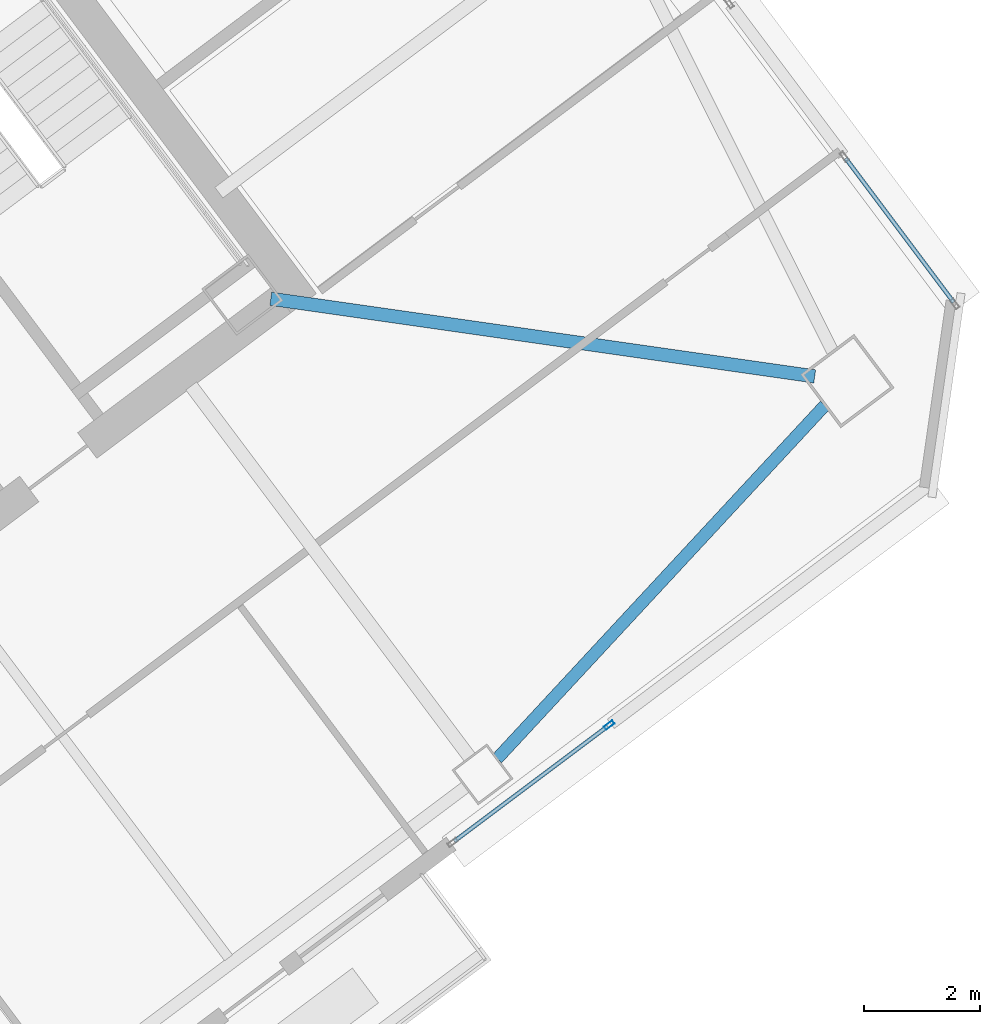
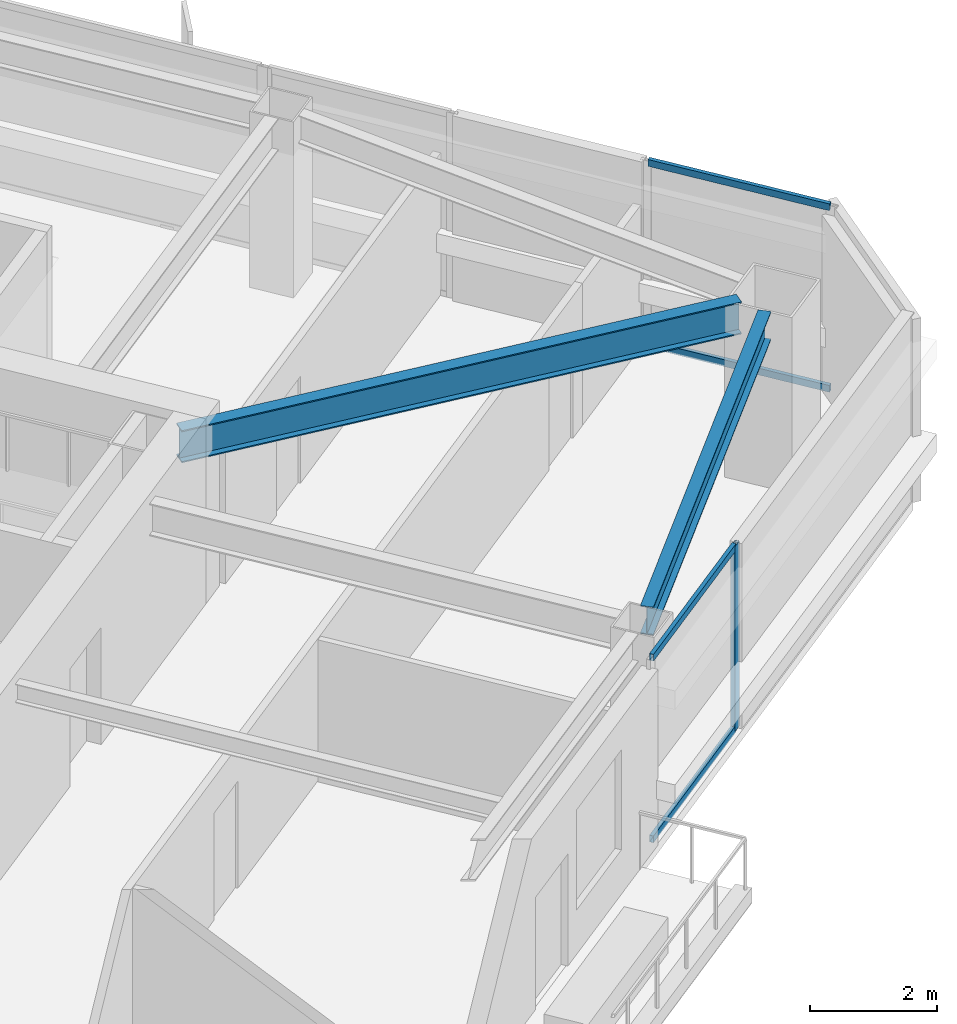
# One storey, part 26 of 46: 5 members, 2 beams, 2 elements without a shape of their own.
"""IFC4 building model written with IfcOpenShell, lengths in metres."""

from ifc_helpers import new_model, si_unit, direction, frame, origin, origin_2d, place, context, subcontext, project, spatial, hollow_rectangle, i_section, extrude, material, material_profile, profile_set, type_object, element, aggregate, save


model = new_model("IFC4")

# Units and contexts
model_context = context("Model", 3, precision=1e-05, world=origin(), true_north=direction((0.0, 1.0)))
body_context = subcontext(model_context, "Body", "Model", "MODEL_VIEW")
ifc_project = project(units=[si_unit("LENGTHUNIT", "METRE"), si_unit("AREAUNIT", "SQUARE_METRE"), si_unit("VOLUMEUNIT", "CUBIC_METRE"), si_unit("PLANEANGLEUNIT", "RADIAN"), si_unit("MASSUNIT", "GRAM", prefix="KILO")], contexts=[model_context])

# Site, building, storey
site_placement = place(None, origin())
site = spatial("IfcSite", under=ifc_project, at=site_placement, CompositionType="ELEMENT")
building_placement = place(site_placement, origin())
building = spatial("IfcBuilding", under=site, at=building_placement, Name="Tashvorn Skyway Center", CompositionType="ELEMENT")
storey_placement = place(building_placement, frame((0.0, 0.0, 167.64990234375)))
storey = spatial("IfcBuildingStorey", under=building, at=storey_placement, Name="L45", CompositionType="ELEMENT", Elevation=167.64990234375)

# Beams
ifc_material_1 = material(Name="Steel ASTM A992 Grade 50", Category="steel")
ifc_material_profile_1 = material_profile(ifc_material_1, i_section(OverallWidth=0.22998046875, OverallDepth=0.616943359375, WebThickness=0.01318359375, FlangeThickness=0.022216796875, at=origin_2d()), Name="W24X94")
ifc_profile_set_1 = profile_set([ifc_material_profile_1], Name="Steel ASTM A992 Grade 50")
beam_type_1 = type_object("IfcBeamType", Name="BM-BEAM-W24X94", PredefinedType="BEAM", material=ifc_profile_set_1)
beam_1_placement = place(storey_placement, frame((133.73583984375, 29.1806640625, 3.0615234375), z_axis=(-0.989950009213, 0.141417747326, 0.0), x_axis=(-0.141417747326, -0.989950009213, 0.0)))
element("IfcBeam", 1, at=beam_1_placement, inside=storey, type_object=beam_type_1, Name="Tower 2 L45 Primary Floor Girder MC-SE", PredefinedType="BEAM", context=body_context, shape_type="SweptSolid", body=[
    extrude(i_section(OverallWidth=0.22998046875, OverallDepth=0.616943359375, WebThickness=0.01318359375, FlangeThickness=0.022216796875, at=origin_2d()), origin(), (0.0, 0.0, 1.0), 9.470947265625),
])
ifc_material_profile_2 = material_profile(ifc_material_1, i_section(OverallWidth=0.2109375, OverallDepth=0.5390625, WebThickness=0.01171875, FlangeThickness=0.018798828125, at=origin_2d()), Name="W21X73")
ifc_profile_set_2 = profile_set([ifc_material_profile_2], Name="Steel ASTM A992 Grade 50")
beam_type_2 = type_object("IfcBeamType", Name="BM-SPANDREL-W21X73", PredefinedType="SPANDREL", material=ifc_profile_set_2)
beam_2_placement = place(storey_placement, frame((128.26171875, 22.59130859375, 3.1005859375), z_axis=(0.680119661736, 0.733101115618, 0.0), x_axis=(-0.733101115618, 0.680119661736, 0.0)))
element("IfcBeam", 2, at=beam_2_placement, inside=storey, type_object=beam_type_2, Name="Tower 2 L45 Spandrel Beam 03", PredefinedType="SPANDREL", context=body_context, shape_type="SweptSolid", body=[
    extrude(i_section(OverallWidth=0.2109375, OverallDepth=0.5390625, WebThickness=0.01171875, FlangeThickness=0.018798828125, at=origin_2d()), origin(), (0.0, 0.0, 1.0), 8.308349609375),
])

# Curtain wall, members
ifc_material_2 = material(Name="Thermally broken bronze-anodized aluminium 6063-T6", Category="aluminium")
curtain_wall_type = type_object("IfcCurtainWallType", Name="CW-CW-Z4", PredefinedType="NOTDEFINED", material=ifc_material_2)
curtain_wall_1_placement = place(storey_placement, origin())
curtain_wall_1 = element("IfcCurtainWall", 3, at=curtain_wall_1_placement, inside=storey, type_object=curtain_wall_type, Name="Tower 2 L45 South Curtain Wall L Glazing Group 1", PredefinedType="NOTDEFINED")
ifc_material_profile_3 = material_profile(ifc_material_2, hollow_rectangle(XDim=0.070068359375, YDim=0.179931640625, WallThickness=0.00390625, at=origin_2d()), Name="ALU-MULL-70x180")
ifc_profile_set_3 = profile_set([ifc_material_profile_3], Name="Thermally broken bronze-anodized aluminium 6063-T6")
member_type_1 = type_object("IfcMemberType", Name="CWM-CW-Z4", PredefinedType="MULLION", material=ifc_profile_set_3)
member_1_placement = place(storey_placement, frame((130.194580078125, 23.1708984375, 0.0), z_axis=(0.0, 0.0, 1.0), x_axis=(0.599995353367, -0.800003484954, 0.0)))
member_1 = element("IfcMember", 4, at=member_1_placement, type_object=member_type_1, Name="CW-Z4 mullion 1", PredefinedType="MULLION", context=body_context, shape_type="SweptSolid", body=[
    extrude(hollow_rectangle(XDim=0.070068359375, YDim=0.179931640625, WallThickness=0.00390625, at=origin_2d()), origin(), (0.0, 0.0, 1.0), 3.550048828125),
])
ifc_material_profile_4 = material_profile(ifc_material_2, hollow_rectangle(XDim=0.070068359375, YDim=0.1298828125, WallThickness=0.00390625, at=origin_2d()), Name="ALU-TRAN-70x130")
ifc_profile_set_4 = profile_set([ifc_material_profile_4], Name="Thermally broken bronze-anodized aluminium 6063-T6")
member_type_2 = type_object("IfcMemberType", Name="CWT-CW-Z4", PredefinedType="USERDEFINED", material=ifc_profile_set_4)
member_2_placement = place(storey_placement, frame((130.166748046875, 23.14990234375, 0.03515625), z_axis=(-0.800026605179, -0.599964524789, 0.0), x_axis=(0.599964524789, -0.800026605179, 0.0)))
member_2 = element("IfcMember", 5, at=member_2_placement, type_object=member_type_2, Name="CW-Z4 transom 1.1", ObjectType="TRANSOM", PredefinedType="USERDEFINED", context=body_context, shape_type="SweptSolid", body=[
    extrude(hollow_rectangle(XDim=0.070068359375, YDim=0.1298828125, WallThickness=0.00390625, at=origin_2d()), origin(), (0.0, 0.0, 1.0), 3.303466796875),
])
member_3_placement = place(storey_placement, frame((130.166748046875, 23.14990234375, 3.51513671875), z_axis=(-0.800026605179, -0.599964524789, 0.0), x_axis=(0.599964524789, -0.800026605179, 0.0)))
member_3 = element("IfcMember", 6, at=member_3_placement, type_object=member_type_2, Name="CW-Z4 transom 1.2", ObjectType="TRANSOM", PredefinedType="USERDEFINED", context=body_context, shape_type="SweptSolid", body=[
    extrude(hollow_rectangle(XDim=0.070068359375, YDim=0.1298828125, WallThickness=0.00390625, at=origin_2d()), origin(), (0.0, 0.0, 1.0), 3.303466796875),
])
aggregate(curtain_wall_1, [member_1, member_2, member_3])

curtain_wall_2_placement = place(storey_placement, origin())
curtain_wall_2 = element("IfcCurtainWall", 7, at=curtain_wall_2_placement, inside=storey, type_object=curtain_wall_type, Name="Tower 2 L45 East Unitised Curtain Wall Glazing Group 5", PredefinedType="NOTDEFINED")
member_4_placement = place(storey_placement, frame((134.27001953125, 32.93994140625, 0.03515625), z_axis=(0.599974797295, -0.800018901408, 0.0), x_axis=(0.800018901408, 0.599974797295, 0.0)))
member_4 = element("IfcMember", 8, at=member_4_placement, type_object=member_type_2, Name="CW-Z4 transom 1.1", ObjectType="TRANSOM", PredefinedType="USERDEFINED", context=body_context, shape_type="SweptSolid", body=[
    extrude(hollow_rectangle(XDim=0.070068359375, YDim=0.1298828125, WallThickness=0.00390625, at=origin_2d()), origin(), (0.0, 0.0, 1.0), 3.099853515625),
])
member_5_placement = place(storey_placement, frame((134.27001953125, 32.93994140625, 3.51513671875), z_axis=(0.599974797295, -0.800018901408, 0.0), x_axis=(0.800018901408, 0.599974797295, 0.0)))
member_5 = element("IfcMember", 9, at=member_5_placement, type_object=member_type_2, Name="CW-Z4 transom 1.2", ObjectType="TRANSOM", PredefinedType="USERDEFINED", context=body_context, shape_type="SweptSolid", body=[
    extrude(hollow_rectangle(XDim=0.070068359375, YDim=0.1298828125, WallThickness=0.00390625, at=origin_2d()), origin(), (0.0, 0.0, 1.0), 3.099853515625),
])
aggregate(curtain_wall_2, [member_4, member_5])

save(model, "model.ifc")
